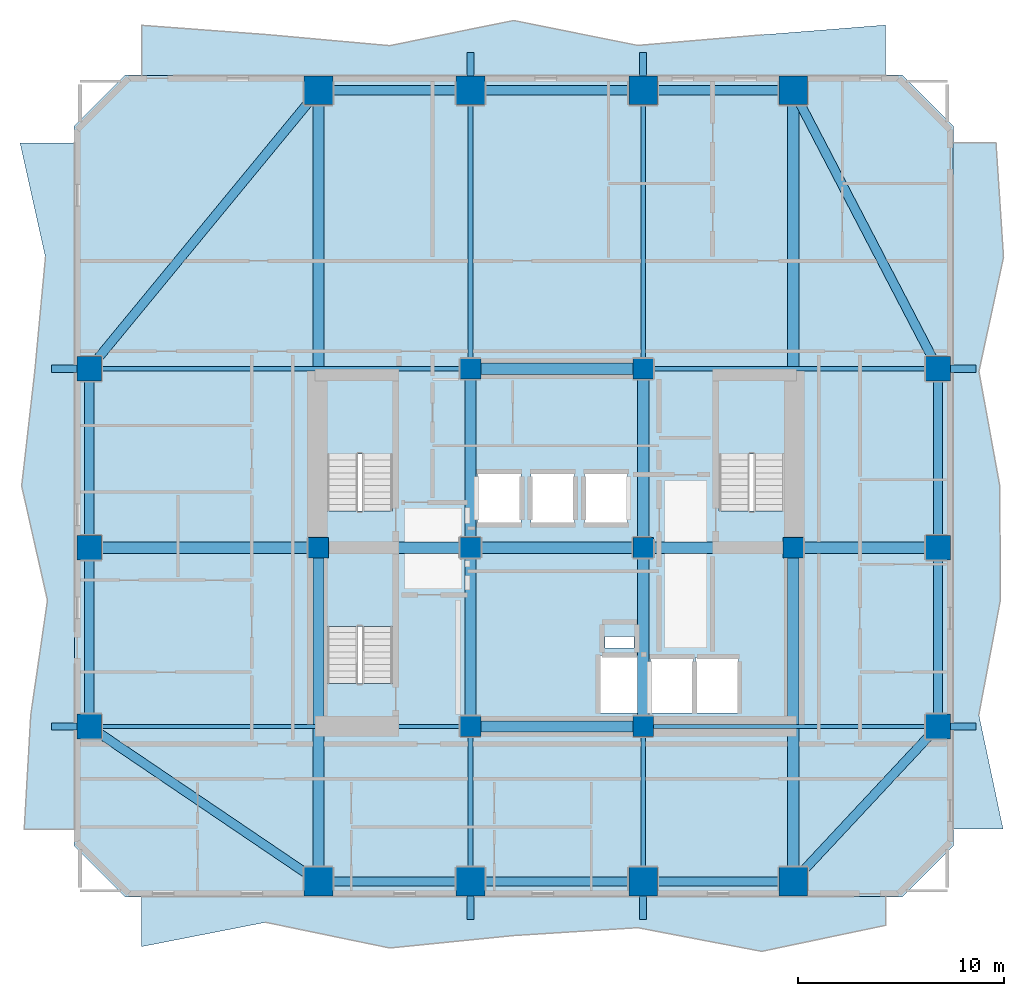
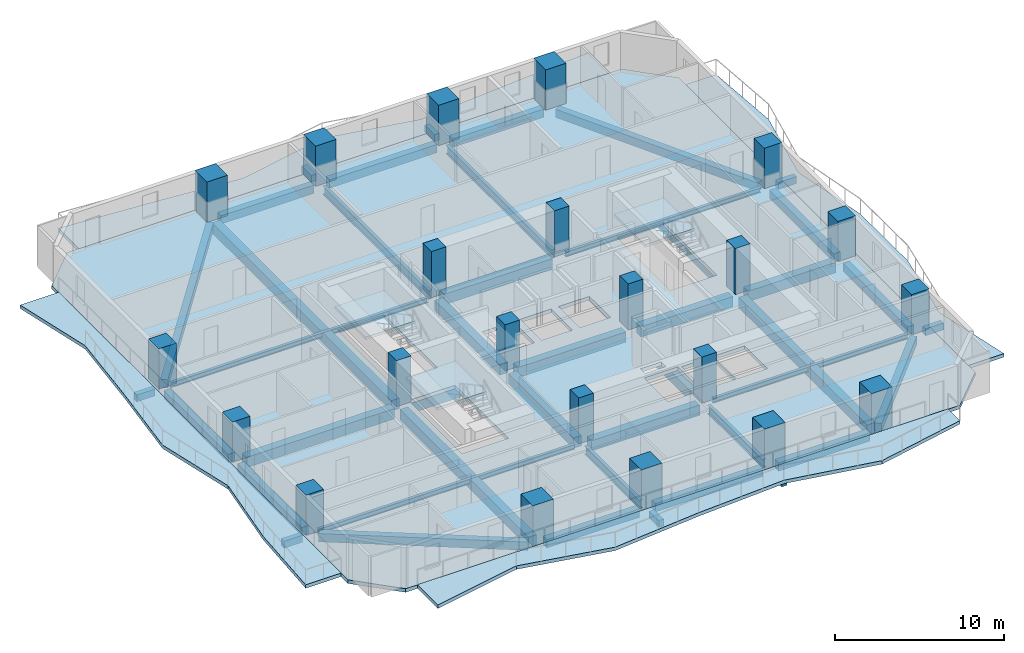
# One storey, part 1 of 10: 45 beams, 22 columns, 8 slabs, 3 elements without a shape of their own.
"""IFC4 building model written with IfcOpenShell, lengths in metres."""

from ifc_helpers import new_model, si_unit, direction, frame, origin, origin_2d, place, context, subcontext, project, spatial, polyline, rectangle, i_section, outline, extrude, material, layer, layer_set, material_profile, profile_set, type_object, element, aggregate, save


model = new_model("IFC4")

# Units and contexts
model_context = context("Model", 3, precision=1e-05, world=origin(), true_north=direction((0.0, 1.0)))
body_context = subcontext(model_context, "Body", "Model", "MODEL_VIEW")
ifc_project = project(units=[si_unit("LENGTHUNIT", "METRE"), si_unit("AREAUNIT", "SQUARE_METRE"), si_unit("VOLUMEUNIT", "CUBIC_METRE"), si_unit("PLANEANGLEUNIT", "RADIAN"), si_unit("MASSUNIT", "GRAM", prefix="KILO")], contexts=[model_context])

# Site, building, storey
site_placement = place(None, origin())
site = spatial("IfcSite", under=ifc_project, at=site_placement, CompositionType="ELEMENT")
building_placement = place(site_placement, origin())
building = spatial("IfcBuilding", under=site, at=building_placement, Name="Solanera Arch Residences", CompositionType="ELEMENT")
storey_placement = place(building_placement, frame((0.0, 0.0, 102.760009765625)))
storey = spatial("IfcBuildingStorey", under=building, at=storey_placement, Name="L29", CompositionType="ELEMENT", Elevation=102.760009765625)

# Columns
ifc_material_1 = material(Name="Concrete C55/67 (f'c = 60 MPa)", Category="concrete")
ifc_material_profile_1 = material_profile(ifc_material_1, rectangle(XDim=1.0, YDim=1.0, at=origin_2d()))
ifc_profile_set_1 = profile_set([ifc_material_profile_1], Name="Concrete C55/67 (f'c = 60 MPa)")
column_type_1 = type_object("IfcColumnType", Name="Structural Column RC-COL-1000X1000", PredefinedType="COLUMN", material=ifc_profile_set_1)
for number, where, z_axis, x_axis, name in (
    (1, (20.800048828125, 22.0, 0.0), (0.0, 0.0, 1.0), (1.0, 0.0, 0.0), "COL-L29-CB-SW"),
    (2, (29.199951171875, 22.0, 0.0), (0.0, 0.0, 1.0), (1.0, 0.0, 0.0), "COL-L29-CB-SE"),
    (3, (20.800048828125, 39.39990234375, 0.0), (0.0, 0.0, 1.0), (1.0, 0.0, 0.0), "COL-L29-CB-NW"),
    (4, (29.199951171875, 39.39990234375, 0.0), (0.0, 0.0, 1.0), (1.0, 0.0, 0.0), "COL-L29-CB-NE"),
    (5, (13.39990234375, 30.699951171875, 0.0), (0.0, 0.0, 1.0), (1.0, 0.0, 0.0), "COL-L29-CB-WW"),
    (6, (36.5, 30.699951171875, 0.0), (0.0, 0.0, 1.0), (1.0, 0.0, 0.0), "COL-L29-CB-EE"),
    (7, (20.800048828125, 30.699951171875, 0.0), (0.0, 0.0, 1.0), (1.0, 0.0, 0.0), "COL-L29-CORE-W"),
    (8, (29.199951171875, 30.699951171875, 0.0), (0.0, 0.0, 1.0), (1.0, 0.0, 0.0), "COL-L29-CORE-E"),
):
    element("IfcColumn", number, at=place(storey_placement, frame(where, z_axis=z_axis, x_axis=x_axis)), inside=storey, type_object=column_type_1, Name=name, PredefinedType="COLUMN", context=body_context, shape_type="SweptSolid", body=[
        extrude(rectangle(XDim=1.0, YDim=1.0, at=origin_2d()), origin(), (0.0, 0.0, 1.0), 3.320068359375),
    ])
ifc_material_2 = material(Name="Concrete C55/67 (f'c = 60 MPa)", Category="concrete")
ifc_material_profile_2 = material_profile(ifc_material_2, rectangle(XDim=1.199951171875, YDim=1.199951171875, at=origin_2d()))
ifc_profile_set_2 = profile_set([ifc_material_profile_2], Name="Concrete C55/67 (f'c = 60 MPa)")
column_type_2 = type_object("IfcColumnType", Name="Structural Column RC-COL-1200X1200", PredefinedType="COLUMN", material=ifc_profile_set_2)
for number, where, z_axis, x_axis, name in (
    (9, (2.25, 22.0, 0.0), (0.0, 0.0, 1.0), (1.0, 0.0, 0.0), "COL-L29-TWR-09"),
    (10, (43.550048828125, 22.0, 0.0), (0.0, 0.0, 1.0), (1.0, 0.0, 0.0), "COL-L29-TWR-10"),
    (11, (2.25, 30.699951171875, 0.0), (0.0, 0.0, 1.0), (1.0, 0.0, 0.0), "COL-L29-TWR-11"),
    (12, (43.550048828125, 30.699951171875, 0.0), (0.0, 0.0, 1.0), (1.0, 0.0, 0.0), "COL-L29-TWR-12"),
    (13, (2.25, 39.39990234375, 0.0), (0.0, 0.0, 1.0), (1.0, 0.0, 0.0), "COL-L29-TWR-13"),
    (14, (43.550048828125, 39.39990234375, 0.0), (0.0, 0.0, 1.0), (1.0, 0.0, 0.0), "COL-L29-TWR-14"),
):
    element("IfcColumn", number, at=place(storey_placement, frame(where, z_axis=z_axis, x_axis=x_axis)), inside=storey, type_object=column_type_2, Name=name, PredefinedType="COLUMN", context=body_context, shape_type="SweptSolid", body=[
        extrude(rectangle(XDim=1.199951171875, YDim=1.199951171875, at=origin_2d()), origin(), (0.0, 0.0, 1.0), 2.89990234375),
    ])
ifc_material_3 = material(Name="Concrete C55/67 (f'c = 60 MPa)", Category="concrete")
ifc_material_profile_3 = material_profile(ifc_material_3, rectangle(XDim=1.39990234375, YDim=1.39990234375, at=origin_2d()))
ifc_profile_set_3 = profile_set([ifc_material_profile_3], Name="Concrete C55/67 (f'c = 60 MPa)")
column_type_3 = type_object("IfcColumnType", Name="Structural Column RC-COL-1400X1400", PredefinedType="COLUMN", material=ifc_profile_set_3)
for number, where, z_axis, x_axis, name in (
    (15, (13.39990234375, 14.449951171875, 0.0), (0.0, 0.0, 1.0), (1.0, 0.0, 0.0), "COL-L29-TWR-01"),
    (16, (13.39990234375, 52.949951171875, 0.0), (0.0, 0.0, 1.0), (1.0, 0.0, 0.0), "COL-L29-TWR-02"),
    (17, (20.800048828125, 14.449951171875, 0.0), (0.0, 0.0, 1.0), (1.0, 0.0, 0.0), "COL-L29-TWR-03"),
    (18, (20.800048828125, 52.949951171875, 0.0), (0.0, 0.0, 1.0), (1.0, 0.0, 0.0), "COL-L29-TWR-04"),
    (19, (29.199951171875, 14.449951171875, 0.0), (0.0, 0.0, 1.0), (1.0, 0.0, 0.0), "COL-L29-TWR-05"),
    (20, (29.199951171875, 52.949951171875, 0.0), (0.0, 0.0, 1.0), (1.0, 0.0, 0.0), "COL-L29-TWR-06"),
    (21, (36.5, 14.449951171875, 0.0), (0.0, 0.0, 1.0), (1.0, 0.0, 0.0), "COL-L29-TWR-07"),
    (22, (36.5, 52.949951171875, 0.0), (0.0, 0.0, 1.0), (1.0, 0.0, 0.0), "COL-L29-TWR-08"),
):
    element("IfcColumn", number, at=place(storey_placement, frame(where, z_axis=z_axis, x_axis=x_axis)), inside=storey, type_object=column_type_3, Name=name, PredefinedType="COLUMN", context=body_context, shape_type="SweptSolid", body=[
        extrude(rectangle(XDim=1.39990234375, YDim=1.39990234375, at=origin_2d()), origin(), (0.0, 0.0, 1.0), 2.89990234375),
    ])

# Beams
ifc_material_4 = material(Name="Concrete C40/50 (f'c = 45 MPa)", Category="concrete")
ifc_material_profile_4 = material_profile(ifc_material_4, rectangle(XDim=0.35009765625, YDim=0.5, at=origin_2d()))
ifc_profile_set_4 = profile_set([ifc_material_profile_4], Name="Concrete C40/50 (f'c = 45 MPa)")
beam_type_1 = type_object("IfcBeamType", Name="BM-BALC-RIB", PredefinedType="BEAM", material=ifc_profile_set_4)
for number, where, z_axis, x_axis, name in (
    (23, (20.800048828125, 12.60009765625, -0.5), (0.0, 1.0, 0.0), (-1.0, 0.0, 0.0), "BM-L29-BRIB-S1"),
    (24, (29.199951171875, 12.60009765625, -0.5), (0.0, 1.0, 0.0), (-1.0, 0.0, 0.0), "BM-L29-BRIB-S2"),
):
    element("IfcBeam", number, at=place(storey_placement, frame(where, z_axis=z_axis, x_axis=x_axis)), inside=storey, type_object=beam_type_1, Name=name, PredefinedType="BEAM", context=body_context, shape_type="SweptSolid", body=[
        extrude(rectangle(XDim=0.35009765625, YDim=0.5, at=origin_2d()), origin(), (0.0, 0.0, 1.0), 1.14990234375),
    ])
for number, where, z_axis, x_axis, name in (
    (25, (20.800048828125, 53.64990234375, -0.5), (0.0, 1.0, 0.0), (-1.0, 0.0, 0.0), "BM-L29-BRIB-N1"),
    (26, (29.199951171875, 53.64990234375, -0.5), (0.0, 1.0, 0.0), (-1.0, 0.0, 0.0), "BM-L29-BRIB-N2"),
):
    element("IfcBeam", number, at=place(storey_placement, frame(where, z_axis=z_axis, x_axis=x_axis)), inside=storey, type_object=beam_type_1, Name=name, PredefinedType="BEAM", context=body_context, shape_type="SweptSolid", body=[
        extrude(rectangle(XDim=0.35009765625, YDim=0.5, at=origin_2d()), origin(), (0.0, 0.0, 1.0), 1.150146484375),
    ])
for number, where, z_axis, x_axis, name in (
    (27, (44.14990234375, 22.0, -0.5), (1.0, 0.0, 0.0), (0.0, 1.0, 0.0), "BM-L29-BRIB-E1"),
    (28, (44.14990234375, 39.39990234375, -0.5), (1.0, 0.0, 0.0), (0.0, 1.0, 0.0), "BM-L29-BRIB-E2"),
    (29, (0.39990234375, 22.0, -0.5), (1.0, 0.0, 0.0), (0.0, 1.0, 0.0), "BM-L29-BRIB-W1"),
    (30, (0.39990234375, 39.39990234375, -0.5), (1.0, 0.0, 0.0), (0.0, 1.0, 0.0), "BM-L29-BRIB-W2"),
):
    element("IfcBeam", number, at=place(storey_placement, frame(where, z_axis=z_axis, x_axis=x_axis)), inside=storey, type_object=beam_type_1, Name=name, PredefinedType="BEAM", context=body_context, shape_type="SweptSolid", body=[
        extrude(rectangle(XDim=0.35009765625, YDim=0.5, at=origin_2d()), origin(), (0.0, 0.0, 1.0), 1.25),
    ])
ifc_material_5 = material(Name="Concrete C40/50 (f'c = 45 MPa)", Category="concrete")
ifc_material_profile_5 = material_profile(ifc_material_5, rectangle(XDim=0.550048828125, YDim=0.75, at=origin_2d()))
ifc_profile_set_5 = profile_set([ifc_material_profile_5], Name="Concrete C40/50 (f'c = 45 MPa)")
beam_type_2 = type_object("IfcBeamType", Name="Primary Beam RC-BM-550X750", PredefinedType="BEAM", material=ifc_profile_set_5)
beam_1_placement = place(storey_placement, frame((20.800048828125, 22.50390625, -0.635009765625), z_axis=(0.0, 1.0, 0.0), x_axis=(-1.0, 0.0, 0.0)))
element("IfcBeam", 31, at=beam_1_placement, inside=storey, type_object=beam_type_2, Name="BM-L29-CC-S-208", PredefinedType="BEAM", context=body_context, shape_type="SweptSolid", body=[
    extrude(rectangle(XDim=0.550048828125, YDim=0.75, at=origin_2d()), origin(), (0.0, 0.0, 1.0), 7.692138671875),
])
beam_2_placement = place(storey_placement, frame((20.800048828125, 31.2041015625, -0.635009765625), z_axis=(0.0, 1.0, 0.0), x_axis=(-1.0, 0.0, 0.0)))
element("IfcBeam", 32, at=beam_2_placement, inside=storey, type_object=beam_type_2, Name="BM-L29-CC-N-208", PredefinedType="BEAM", context=body_context, shape_type="SweptSolid", body=[
    extrude(rectangle(XDim=0.550048828125, YDim=0.75, at=origin_2d()), origin(), (0.0, 0.0, 1.0), 7.69189453125),
])
beam_3_placement = place(storey_placement, frame((29.199951171875, 22.50390625, -0.635009765625), z_axis=(0.0, 1.0, 0.0), x_axis=(-1.0, 0.0, 0.0)))
element("IfcBeam", 33, at=beam_3_placement, inside=storey, type_object=beam_type_2, Name="BM-L29-CC-S-292", PredefinedType="BEAM", context=body_context, shape_type="SweptSolid", body=[
    extrude(rectangle(XDim=0.550048828125, YDim=0.75, at=origin_2d()), origin(), (0.0, 0.0, 1.0), 7.692138671875),
])
beam_4_placement = place(storey_placement, frame((29.199951171875, 31.2041015625, -0.635009765625), z_axis=(0.0, 1.0, 0.0), x_axis=(-1.0, 0.0, 0.0)))
element("IfcBeam", 34, at=beam_4_placement, inside=storey, type_object=beam_type_2, Name="BM-L29-CC-N-292", PredefinedType="BEAM", context=body_context, shape_type="SweptSolid", body=[
    extrude(rectangle(XDim=0.550048828125, YDim=0.75, at=origin_2d()), origin(), (0.0, 0.0, 1.0), 7.69189453125),
])
for number, where, z_axis, x_axis, name in (
    (35, (21.303955078125, 22.0, -0.635009765625), (1.0, 0.0, 0.0), (0.0, 1.0, 0.0), "BM-L29-CC-M-220"),
    (36, (21.303955078125, 30.699951171875, -0.635009765625), (1.0, 0.0, 0.0), (0.0, 1.0, 0.0), "BM-L29-CC-M-307"),
    (37, (21.303955078125, 39.39990234375, -0.635009765625), (1.0, 0.0, 0.0), (0.0, 1.0, 0.0), "BM-L29-CC-M-394"),
):
    element("IfcBeam", number, at=place(storey_placement, frame(where, z_axis=z_axis, x_axis=x_axis)), inside=storey, type_object=beam_type_2, Name=name, PredefinedType="BEAM", context=body_context, shape_type="SweptSolid", body=[
        extrude(rectangle(XDim=0.550048828125, YDim=0.75, at=origin_2d()), origin(), (0.0, 0.0, 1.0), 7.39208984375),
    ])
beam_5_placement = place(storey_placement, frame((13.904052734375, 30.699951171875, -0.635009765625), z_axis=(1.0, 0.0, 0.0), x_axis=(0.0, 1.0, 0.0)))
element("IfcBeam", 38, at=beam_5_placement, inside=storey, type_object=beam_type_2, Name="BM-L29-CC-W", PredefinedType="BEAM", context=body_context, shape_type="SweptSolid", body=[
    extrude(rectangle(XDim=0.550048828125, YDim=0.75, at=origin_2d()), origin(), (0.0, 0.0, 1.0), 6.391845703125),
])
beam_6_placement = place(storey_placement, frame((29.7041015625, 30.699951171875, -0.635009765625), z_axis=(1.0, 0.0, 0.0), x_axis=(0.0, 1.0, 0.0)))
element("IfcBeam", 39, at=beam_6_placement, inside=storey, type_object=beam_type_2, Name="BM-L29-CC-E", PredefinedType="BEAM", context=body_context, shape_type="SweptSolid", body=[
    extrude(rectangle(XDim=0.550048828125, YDim=0.75, at=origin_2d()), origin(), (0.0, 0.0, 1.0), 6.2919921875),
])
beam_7_placement = place(storey_placement, frame((13.39990234375, 14.989990234375, -0.635009765625), z_axis=(0.0, 1.0, 0.0), x_axis=(-1.0, 0.0, 0.0)))
element("IfcBeam", 40, at=beam_7_placement, inside=storey, type_object=beam_type_2, Name="BM-L29-RAD-OS-134", PredefinedType="BEAM", context=body_context, shape_type="SweptSolid", body=[
    extrude(rectangle(XDim=0.550048828125, YDim=0.75, at=origin_2d()), origin(), (0.0, 0.0, 1.0), 15.2060546875),
])
beam_8_placement = place(storey_placement, frame((13.39990234375, 31.2041015625, -0.635009765625), z_axis=(0.0, 1.0, 0.0), x_axis=(-1.0, 0.0, 0.0)))
element("IfcBeam", 41, at=beam_8_placement, inside=storey, type_object=beam_type_2, Name="BM-L29-RAD-ON-134", PredefinedType="BEAM", context=body_context, shape_type="SweptSolid", body=[
    extrude(rectangle(XDim=0.550048828125, YDim=0.75, at=origin_2d()), origin(), (0.0, 0.0, 1.0), 21.205810546875),
])
beam_9_placement = place(storey_placement, frame((36.5, 14.989990234375, -0.635009765625), z_axis=(0.0, 1.0, 0.0), x_axis=(-1.0, 0.0, 0.0)))
element("IfcBeam", 42, at=beam_9_placement, inside=storey, type_object=beam_type_2, Name="BM-L29-RAD-OS-365", PredefinedType="BEAM", context=body_context, shape_type="SweptSolid", body=[
    extrude(rectangle(XDim=0.550048828125, YDim=0.75, at=origin_2d()), origin(), (0.0, 0.0, 1.0), 15.2060546875),
])
beam_10_placement = place(storey_placement, frame((36.5, 31.2041015625, -0.635009765625), z_axis=(0.0, 1.0, 0.0), x_axis=(-1.0, 0.0, 0.0)))
element("IfcBeam", 43, at=beam_10_placement, inside=storey, type_object=beam_type_2, Name="BM-L29-RAD-ON-365", PredefinedType="BEAM", context=body_context, shape_type="SweptSolid", body=[
    extrude(rectangle(XDim=0.550048828125, YDim=0.75, at=origin_2d()), origin(), (0.0, 0.0, 1.0), 21.205810546875),
])
beam_11_placement = place(storey_placement, frame((2.7900390625, 30.699951171875, -0.635009765625), z_axis=(1.0, 0.0, 0.0), x_axis=(0.0, 1.0, 0.0)))
element("IfcBeam", 44, at=beam_11_placement, inside=storey, type_object=beam_type_2, Name="BM-L29-RAD-MW", PredefinedType="BEAM", context=body_context, shape_type="SweptSolid", body=[
    extrude(rectangle(XDim=0.550048828125, YDim=0.75, at=origin_2d()), origin(), (0.0, 0.0, 1.0), 10.10595703125),
])
beam_12_placement = place(storey_placement, frame((37.00390625, 30.699951171875, -0.635009765625), z_axis=(1.0, 0.0, 0.0), x_axis=(0.0, 1.0, 0.0)))
element("IfcBeam", 45, at=beam_12_placement, inside=storey, type_object=beam_type_2, Name="BM-L29-RAD-ME", PredefinedType="BEAM", context=body_context, shape_type="SweptSolid", body=[
    extrude(rectangle(XDim=0.550048828125, YDim=0.75, at=origin_2d()), origin(), (0.0, 0.0, 1.0), 6.006103515625),
])
ifc_material_6 = material(Name="Steel S355 (ASTM A992 / A572 Grade 50)", Category="steel")
ifc_material_profile_6 = material_profile(ifc_material_6, i_section(OverallWidth=0.22998046875, OverallDepth=0.616943359375, WebThickness=0.01318359375, FlangeThickness=0.022216796875, at=origin_2d()))
ifc_profile_set_6 = profile_set([ifc_material_profile_6], Name="Steel S355 (ASTM A992 / A572 Grade 50)")
beam_type_3 = type_object("IfcBeamType", Name="Primary Beam W610X140", PredefinedType="BEAM", material=ifc_profile_set_6)
beam_13_placement = place(storey_placement, frame((20.800048828125, 14.989990234375, -0.568115234375), z_axis=(0.0, 1.0, 0.0), x_axis=(-1.0, 0.0, 0.0)))
element("IfcBeam", 46, at=beam_13_placement, inside=storey, type_object=beam_type_3, Name="BM-L29-RAD-S-208", PredefinedType="BEAM", context=body_context, shape_type="SweptSolid", body=[
    extrude(i_section(OverallWidth=0.22998046875, OverallDepth=0.616943359375, WebThickness=0.01318359375, FlangeThickness=0.022216796875, at=origin_2d()), origin(), (0.0, 0.0, 1.0), 6.506103515625),
])
beam_14_placement = place(storey_placement, frame((20.800048828125, 39.904052734375, -0.568115234375), z_axis=(0.0, 1.0, 0.0), x_axis=(-1.0, 0.0, 0.0)))
element("IfcBeam", 47, at=beam_14_placement, inside=storey, type_object=beam_type_3, Name="BM-L29-RAD-N-208", PredefinedType="BEAM", context=body_context, shape_type="SweptSolid", body=[
    extrude(i_section(OverallWidth=0.22998046875, OverallDepth=0.616943359375, WebThickness=0.01318359375, FlangeThickness=0.022216796875, at=origin_2d()), origin(), (0.0, 0.0, 1.0), 12.505859375),
])
beam_15_placement = place(storey_placement, frame((29.199951171875, 14.989990234375, -0.568115234375), z_axis=(0.0, 1.0, 0.0), x_axis=(-1.0, 0.0, 0.0)))
element("IfcBeam", 48, at=beam_15_placement, inside=storey, type_object=beam_type_3, Name="BM-L29-RAD-S-292", PredefinedType="BEAM", context=body_context, shape_type="SweptSolid", body=[
    extrude(i_section(OverallWidth=0.22998046875, OverallDepth=0.616943359375, WebThickness=0.01318359375, FlangeThickness=0.022216796875, at=origin_2d()), origin(), (0.0, 0.0, 1.0), 6.506103515625),
])
beam_16_placement = place(storey_placement, frame((29.199951171875, 39.904052734375, -0.568115234375), z_axis=(0.0, 1.0, 0.0), x_axis=(-1.0, 0.0, 0.0)))
element("IfcBeam", 49, at=beam_16_placement, inside=storey, type_object=beam_type_3, Name="BM-L29-RAD-N-292", PredefinedType="BEAM", context=body_context, shape_type="SweptSolid", body=[
    extrude(i_section(OverallWidth=0.22998046875, OverallDepth=0.616943359375, WebThickness=0.01318359375, FlangeThickness=0.022216796875, at=origin_2d()), origin(), (0.0, 0.0, 1.0), 12.505859375),
])
ifc_material_7 = material(Name="Steel S355 (ASTM A992 / A572 Grade 50)", Category="steel")
ifc_material_profile_7 = material_profile(ifc_material_7, i_section(OverallWidth=0.205078125, OverallDepth=0.35400390625, WebThickness=0.009521484375, FlangeThickness=0.016845703125, at=origin_2d()))
ifc_profile_set_7 = profile_set([ifc_material_profile_7], Name="Steel S355 (ASTM A992 / A572 Grade 50)")
beam_type_4 = type_object("IfcBeamType", Name="Secondary Joist W360X79", PredefinedType="JOIST", material=ifc_profile_set_7)
beam_17_placement = place(storey_placement, frame((2.7900390625, 22.0, -0.43701171875), z_axis=(1.0, 0.0, 0.0), x_axis=(0.0, 1.0, 0.0)))
element("IfcBeam", 50, at=beam_17_placement, inside=storey, type_object=beam_type_4, Name="BM-L29-RAD-W-220", PredefinedType="JOIST", context=body_context, shape_type="SweptSolid", body=[
    extrude(i_section(OverallWidth=0.205078125, OverallDepth=0.35400390625, WebThickness=0.009521484375, FlangeThickness=0.016845703125, at=origin_2d()), origin(), (0.0, 0.0, 1.0), 17.505859375),
])
beam_18_placement = place(storey_placement, frame((29.7041015625, 22.0, -0.43701171875), z_axis=(1.0, 0.0, 0.0), x_axis=(0.0, 1.0, 0.0)))
element("IfcBeam", 51, at=beam_18_placement, inside=storey, type_object=beam_type_4, Name="BM-L29-RAD-E-220", PredefinedType="JOIST", context=body_context, shape_type="SweptSolid", body=[
    extrude(i_section(OverallWidth=0.205078125, OverallDepth=0.35400390625, WebThickness=0.009521484375, FlangeThickness=0.016845703125, at=origin_2d()), origin(), (0.0, 0.0, 1.0), 13.305908203125),
])
beam_19_placement = place(storey_placement, frame((2.7900390625, 39.39990234375, -0.43701171875), z_axis=(1.0, 0.0, 0.0), x_axis=(0.0, 1.0, 0.0)))
element("IfcBeam", 52, at=beam_19_placement, inside=storey, type_object=beam_type_4, Name="BM-L29-RAD-W-394", PredefinedType="JOIST", context=body_context, shape_type="SweptSolid", body=[
    extrude(i_section(OverallWidth=0.205078125, OverallDepth=0.35400390625, WebThickness=0.009521484375, FlangeThickness=0.016845703125, at=origin_2d()), origin(), (0.0, 0.0, 1.0), 17.505859375),
])
beam_20_placement = place(storey_placement, frame((29.7041015625, 39.39990234375, -0.43701171875), z_axis=(1.0, 0.0, 0.0), x_axis=(0.0, 1.0, 0.0)))
element("IfcBeam", 53, at=beam_20_placement, inside=storey, type_object=beam_type_4, Name="BM-L29-RAD-E-394", PredefinedType="JOIST", context=body_context, shape_type="SweptSolid", body=[
    extrude(i_section(OverallWidth=0.205078125, OverallDepth=0.35400390625, WebThickness=0.009521484375, FlangeThickness=0.016845703125, at=origin_2d()), origin(), (0.0, 0.0, 1.0), 13.305908203125),
])
ifc_material_8 = material(Name="Concrete C40/50 (f'c = 45 MPa)", Category="concrete")
ifc_material_profile_8 = material_profile(ifc_material_8, rectangle(XDim=0.449951171875, YDim=0.60009765625, at=origin_2d()))
ifc_profile_set_8 = profile_set([ifc_material_profile_8], Name="Concrete C40/50 (f'c = 45 MPa)")
beam_type_5 = type_object("IfcBeamType", Name="Spandrel Beam RC-BM-450X600", PredefinedType="SPANDREL", material=ifc_profile_set_8)
for number, where, z_axis, x_axis, name in (
    (54, (13.93994140625, 14.449951171875, -0.56005859375), (1.0, 0.0, 0.0), (0.0, 1.0, 0.0), "BM-L29-SPN-S-1"),
    (55, (13.93994140625, 52.949951171875, -0.56005859375), (1.0, 0.0, 0.0), (0.0, 1.0, 0.0), "BM-L29-SPN-N-1"),
):
    element("IfcBeam", number, at=place(storey_placement, frame(where, z_axis=z_axis, x_axis=x_axis)), inside=storey, type_object=beam_type_5, Name=name, PredefinedType="SPANDREL", context=body_context, shape_type="SweptSolid", body=[
        extrude(rectangle(XDim=0.449951171875, YDim=0.60009765625, at=origin_2d()), origin(), (0.0, 0.0, 1.0), 6.320068359375),
    ])
for number, where, z_axis, x_axis, name in (
    (56, (21.340087890625, 14.449951171875, -0.56005859375), (1.0, 0.0, 0.0), (0.0, 1.0, 0.0), "BM-L29-SPN-S-2"),
    (57, (21.340087890625, 52.949951171875, -0.56005859375), (1.0, 0.0, 0.0), (0.0, 1.0, 0.0), "BM-L29-SPN-N-2"),
):
    element("IfcBeam", number, at=place(storey_placement, frame(where, z_axis=z_axis, x_axis=x_axis)), inside=storey, type_object=beam_type_5, Name=name, PredefinedType="SPANDREL", context=body_context, shape_type="SweptSolid", body=[
        extrude(rectangle(XDim=0.449951171875, YDim=0.60009765625, at=origin_2d()), origin(), (0.0, 0.0, 1.0), 7.31982421875),
    ])
for number, where, z_axis, x_axis, name in (
    (58, (29.739990234375, 14.449951171875, -0.56005859375), (1.0, 0.0, 0.0), (0.0, 1.0, 0.0), "BM-L29-SPN-S-3"),
    (59, (29.739990234375, 52.949951171875, -0.56005859375), (1.0, 0.0, 0.0), (0.0, 1.0, 0.0), "BM-L29-SPN-N-3"),
):
    element("IfcBeam", number, at=place(storey_placement, frame(where, z_axis=z_axis, x_axis=x_axis)), inside=storey, type_object=beam_type_5, Name=name, PredefinedType="SPANDREL", context=body_context, shape_type="SweptSolid", body=[
        extrude(rectangle(XDim=0.449951171875, YDim=0.60009765625, at=origin_2d()), origin(), (0.0, 0.0, 1.0), 6.219970703125),
    ])
for number, where, z_axis, x_axis, name in (
    (60, (2.25, 22.5400390625, -0.56005859375), (0.0, 1.0, 0.0), (-1.0, 0.0, 0.0), "BM-L29-SPN-W-1"),
    (61, (43.550048828125, 22.5400390625, -0.56005859375), (0.0, 1.0, 0.0), (-1.0, 0.0, 0.0), "BM-L29-SPN-E-1"),
):
    element("IfcBeam", number, at=place(storey_placement, frame(where, z_axis=z_axis, x_axis=x_axis)), inside=storey, type_object=beam_type_5, Name=name, PredefinedType="SPANDREL", context=body_context, shape_type="SweptSolid", body=[
        extrude(rectangle(XDim=0.449951171875, YDim=0.60009765625, at=origin_2d()), origin(), (0.0, 0.0, 1.0), 7.619873046875),
    ])
for number, where, z_axis, x_axis, name in (
    (62, (2.25, 31.239990234375, -0.56005859375), (0.0, 1.0, 0.0), (-1.0, 0.0, 0.0), "BM-L29-SPN-W-2"),
    (63, (43.550048828125, 31.239990234375, -0.56005859375), (0.0, 1.0, 0.0), (-1.0, 0.0, 0.0), "BM-L29-SPN-E-2"),
):
    element("IfcBeam", number, at=place(storey_placement, frame(where, z_axis=z_axis, x_axis=x_axis)), inside=storey, type_object=beam_type_5, Name=name, PredefinedType="SPANDREL", context=body_context, shape_type="SweptSolid", body=[
        extrude(rectangle(XDim=0.449951171875, YDim=0.60009765625, at=origin_2d()), origin(), (0.0, 0.0, 1.0), 7.6201171875),
    ])
beam_21_placement = place(storey_placement, frame((12.952880859375, 14.7529296875, -0.56005859375), z_axis=(-0.828047103834, 0.560658535859, 0.0), x_axis=(-0.560658535859, -0.828047103834, 0.0)))
element("IfcBeam", 64, at=beam_21_placement, inside=storey, type_object=beam_type_5, Name="BM-L29-SPN-SW", PredefinedType="SPANDREL", context=body_context, shape_type="SweptSolid", body=[
    extrude(rectangle(XDim=0.449951171875, YDim=0.60009765625, at=origin_2d()), origin(), (0.0, 0.0, 1.0), 12.385498046875),
])
beam_22_placement = place(storey_placement, frame((13.056884765625, 52.532958984375, -0.56005859375), z_axis=(-0.635411006368, -0.772174107949, 0.0), x_axis=(0.772174107949, -0.635411006368, 0.0)))
element("IfcBeam", 65, at=beam_22_placement, inside=storey, type_object=beam_type_5, Name="BM-L29-SPN-NW", PredefinedType="SPANDREL", context=body_context, shape_type="SweptSolid", body=[
    extrude(rectangle(XDim=0.449951171875, YDim=0.60009765625, at=origin_2d()), origin(), (0.0, 0.0, 1.0), 16.4677734375),
])
beam_23_placement = place(storey_placement, frame((36.868896484375, 14.844970703125, -0.56005859375), z_axis=(0.68247247993, 0.730911290198, 0.0), x_axis=(-0.730911290198, 0.68247247993, 0.0)))
element("IfcBeam", 66, at=beam_23_placement, inside=storey, type_object=beam_type_5, Name="BM-L29-SPN-SE", PredefinedType="SPANDREL", context=body_context, shape_type="SweptSolid", body=[
    extrude(rectangle(XDim=0.449951171875, YDim=0.60009765625, at=origin_2d()), origin(), (0.0, 0.0, 1.0), 9.248779296875),
])
beam_24_placement = place(storey_placement, frame((36.7490234375, 52.470947265625, -0.56005859375), z_axis=(0.461582336362, -0.887097371633, 0.0), x_axis=(0.887097371633, 0.461582336362, 0.0)))
element("IfcBeam", 67, at=beam_24_placement, inside=storey, type_object=beam_type_5, Name="BM-L29-SPN-NE", PredefinedType="SPANDREL", context=body_context, shape_type="SweptSolid", body=[
    extrude(rectangle(XDim=0.449951171875, YDim=0.60009765625, at=origin_2d()), origin(), (0.0, 0.0, 1.0), 14.194580078125),
])

# Slabs
ifc_material_9 = material(Name="Concrete C40/50 (f'c = 45 MPa)", Category="concrete")
ifc_layer_1 = layer(ifc_material_9, 0.25)
ifc_layer_set_1 = layer_set([ifc_layer_1], Name="Concrete C40/50 (f'c = 45 MPa)")
slab_type_1 = type_object("IfcSlabType", Name="Balcony Slab 250", PredefinedType="FLOOR", material=ifc_layer_set_1)
slab_1_placement = place(storey_placement, frame((0.0, 0.0, -0.25)))
element("IfcSlab", 68, at=slab_1_placement, inside=storey, type_object=slab_type_1, Name="L29 S Rippling Brise-Soleil Balcony Slab", PredefinedType="FLOOR", context=body_context, shape_type="SweptSolid", body=[
    extrude(outline(polyline([(4.800048828125, 11.284912109375), (10.8330078125, 12.468017578125), (16.866943359375, 11.219970703125), (22.89990234375, 11.824951171875), (28.93310546875, 12.20703125), (34.967041015625, 11.054931640625), (41.0, 12.322998046875), (41.0, 13.719970703125), (4.800048828125, 13.719970703125), (4.800048828125, 11.284912109375)])), origin(), (0.0, 0.0, 1.0), 0.25),
])
slab_2_placement = place(storey_placement, frame((0.0, 0.0, -0.25)))
element("IfcSlab", 69, at=slab_2_placement, inside=storey, type_object=slab_type_1, Name="L29 N Rippling Brise-Soleil Balcony Slab", PredefinedType="FLOOR", context=body_context, shape_type="SweptSolid", body=[
    extrude(outline(polyline([(41.0, 56.12890625), (34.967041015625, 55.64892578125), (28.93310546875, 55.137939453125), (22.89990234375, 56.35009765625), (16.866943359375, 55.125), (10.8330078125, 55.66796875), (4.800048828125, 56.114990234375), (4.800048828125, 53.679931640625), (41.0, 53.679931640625), (41.0, 56.12890625)])), origin(), (0.0, 0.0, 1.0), 0.25),
])
slab_3_placement = place(storey_placement, frame((0.0, 0.0, -0.25)))
element("IfcSlab", 70, at=slab_3_placement, inside=storey, type_object=slab_type_1, Name="L29 E Rippling Brise-Soleil Balcony Slab", PredefinedType="FLOOR", context=body_context, shape_type="SweptSolid", body=[
    extrude(outline(polyline([(46.715087890625, 17.0), (45.534912109375, 22.56689453125), (46.5791015625, 28.133056640625), (46.553955078125, 33.699951171875), (45.5390625, 39.26708984375), (46.735107421875, 44.8330078125), (46.368896484375, 50.39990234375), (44.280029296875, 50.39990234375), (44.280029296875, 17.0), (46.715087890625, 17.0)])), origin(), (0.0, 0.0, 1.0), 0.25),
])
slab_4_placement = place(storey_placement, frame((0.0, 0.0, -0.25)))
element("IfcSlab", 71, at=slab_4_placement, inside=storey, type_object=slab_type_1, Name="L29 W Rippling Brise-Soleil Balcony Slab", PredefinedType="FLOOR", context=body_context, shape_type="SweptSolid", body=[
    extrude(outline(polyline([(-1.12109375, 50.39990234375), (0.117919921875, 44.8330078125), (-0.403076171875, 39.26708984375), (-1.0400390625, 33.699951171875), (0.216064453125, 28.133056640625), (-0.596923828125, 22.56689453125), (-0.9150390625, 17.0), (1.52001953125, 17.0), (1.52001953125, 50.39990234375), (-1.12109375, 50.39990234375)])), origin(), (0.0, 0.0, 1.0), 0.25),
])

# Stair, slab
ifc_material_10 = material(Name="Concrete C40/50 (f'c = 45 MPa)", Category="concrete")
stair_type = type_object("IfcStairType", Name="Tower Dogleg Exit Stair 1480", PredefinedType="HALF_TURN_STAIR", material=ifc_material_10)
stair_1_placement = place(storey_placement, origin())
stair_1 = element("IfcStair", 72, at=stair_1_placement, inside=storey, type_object=stair_type, Name="L29 Tower Core Exit Stair 1", PredefinedType="HALF_TURN_STAIR")
ifc_material_11 = material(Name="Concrete C40/50 (f'c = 45 MPa)", Category="concrete")
ifc_layer_2 = layer(ifc_material_11, 0.199951171875)
ifc_layer_set_2 = layer_set([ifc_layer_2], Name="Concrete C40/50 (f'c = 45 MPa)")
slab_type_2 = type_object("IfcSlabType", Name="Stair Half-Landing Slab 200", PredefinedType="LANDING", material=ifc_layer_set_2)
slab_5_placement = place(storey_placement, frame((0.0, 0.0, 1.4599609375)))
slab_5 = element("IfcSlab", 73, at=slab_5_placement, type_object=slab_type_2, Name="ST-T1 landing 1", PredefinedType="LANDING", context=body_context, shape_type="SweptSolid", body=[
    extrude(outline(polyline([(17.1201171875, 35.260009765625), (17.1201171875, 38.919921875), (13.719970703125, 38.919921875), (13.719970703125, 35.260009765625), (17.1201171875, 35.260009765625)])), origin(), (0.0, 0.0, 1.0), 0.199951171875),
])
aggregate(stair_1, [slab_5])

stair_2_placement = place(storey_placement, origin())
stair_2 = element("IfcStair", 74, at=stair_2_placement, inside=storey, type_object=stair_type, Name="L29 Tower Core Exit Stair 2", PredefinedType="HALF_TURN_STAIR")
slab_6_placement = place(storey_placement, frame((0.0, 0.0, 1.4599609375)))
slab_6 = element("IfcSlab", 75, at=slab_6_placement, type_object=slab_type_2, Name="ST-T2 landing 1", PredefinedType="LANDING", context=body_context, shape_type="SweptSolid", body=[
    extrude(outline(polyline([(36.179931640625, 35.260009765625), (36.179931640625, 38.919921875), (32.780029296875, 38.919921875), (32.780029296875, 35.260009765625), (36.179931640625, 35.260009765625)])), origin(), (0.0, 0.0, 1.0), 0.199951171875),
])
aggregate(stair_2, [slab_6])

stair_3_placement = place(storey_placement, origin())
stair_3 = element("IfcStair", 76, at=stair_3_placement, inside=storey, type_object=stair_type, Name="L29 Tower Core Exit Stair 3", PredefinedType="HALF_TURN_STAIR")
slab_7_placement = place(storey_placement, frame((0.0, 0.0, 1.4599609375)))
slab_7 = element("IfcSlab", 77, at=slab_7_placement, type_object=slab_type_2, Name="ST-T3 landing 1", PredefinedType="LANDING", context=body_context, shape_type="SweptSolid", body=[
    extrude(outline(polyline([(17.1201171875, 26.860107421875), (17.1201171875, 30.52001953125), (13.719970703125, 30.52001953125), (13.719970703125, 26.860107421875), (17.1201171875, 26.860107421875)])), origin(), (0.0, 0.0, 1.0), 0.199951171875),
])
aggregate(stair_3, [slab_7])

# Slab
ifc_material_12 = material(Name="Concrete C40/50 (f'c = 45 MPa)", Category="concrete")
ifc_layer_3 = layer(ifc_material_12, 0.260009765625)
ifc_layer_set_3 = layer_set([ifc_layer_3], Name="Concrete C40/50 (f'c = 45 MPa)")
slab_type_3 = type_object("IfcSlabType", Name="Suspended Floor Slab Post-Tensioned 260", PredefinedType="FLOOR", material=ifc_layer_set_3)
slab_8_placement = place(storey_placement, frame((0.0, 0.0, -0.260009765625)))
element("IfcSlab", 78, at=slab_8_placement, inside=storey, type_object=slab_type_3, Name="L29 Tower Post-Tensioned Floor Slab", PredefinedType="FLOOR", context=body_context, shape_type="SweptSolid", body=[
    extrude(outline(polyline([(4.0, 13.699951171875), (41.800048828125, 13.699951171875), (44.300048828125, 16.199951171875), (44.300048828125, 51.199951171875), (41.800048828125, 53.699951171875), (4.0, 53.699951171875), (1.5, 51.199951171875), (1.5, 16.199951171875), (4.0, 13.699951171875)]), holes=[polyline([(13.840087890625, 32.48291015625), (13.840087890625, 38.800048828125), (17.0, 38.800048828125), (17.0, 32.48291015625), (13.840087890625, 32.48291015625)]), polyline([(32.89990234375, 32.48291015625), (32.89990234375, 38.800048828125), (36.06005859375, 38.800048828125), (36.06005859375, 32.48291015625), (32.89990234375, 32.48291015625)]), polyline([(13.840087890625, 24.0830078125), (13.840087890625, 30.39990234375), (17.0, 30.39990234375), (17.0, 24.0830078125), (13.840087890625, 24.0830078125)]), polyline([(21.14990234375, 34.35009765625), (23.25, 34.35009765625), (23.25, 31.85009765625), (21.14990234375, 31.85009765625), (21.14990234375, 34.35009765625)]), polyline([(23.75, 34.35009765625), (25.85009765625, 34.35009765625), (25.85009765625, 31.85009765625), (23.75, 31.85009765625), (23.75, 34.35009765625)]), polyline([(26.35009765625, 34.35009765625), (28.449951171875, 34.35009765625), (28.449951171875, 31.85009765625), (26.35009765625, 31.85009765625), (26.35009765625, 34.35009765625)]), polyline([(29.550048828125, 25.35009765625), (31.64990234375, 25.35009765625), (31.64990234375, 22.64990234375), (29.550048828125, 22.64990234375), (29.550048828125, 25.35009765625)]), polyline([(31.75, 25.35009765625), (33.85009765625, 25.35009765625), (33.85009765625, 22.64990234375), (31.75, 22.64990234375), (31.75, 25.35009765625)]), polyline([(27.050048828125, 25.449951171875), (29.35009765625, 25.449951171875), (29.35009765625, 22.64990234375), (27.050048828125, 22.64990234375), (27.050048828125, 25.449951171875)]), polyline([(27.340087890625, 26.3798828125), (28.760009765625, 26.3798828125), (28.760009765625, 25.820068359375), (27.340087890625, 25.820068359375), (27.340087890625, 26.3798828125)])]), origin(), (0.0, 0.0, 1.0), 0.260009765625),
])

save(model, "model.ifc")
